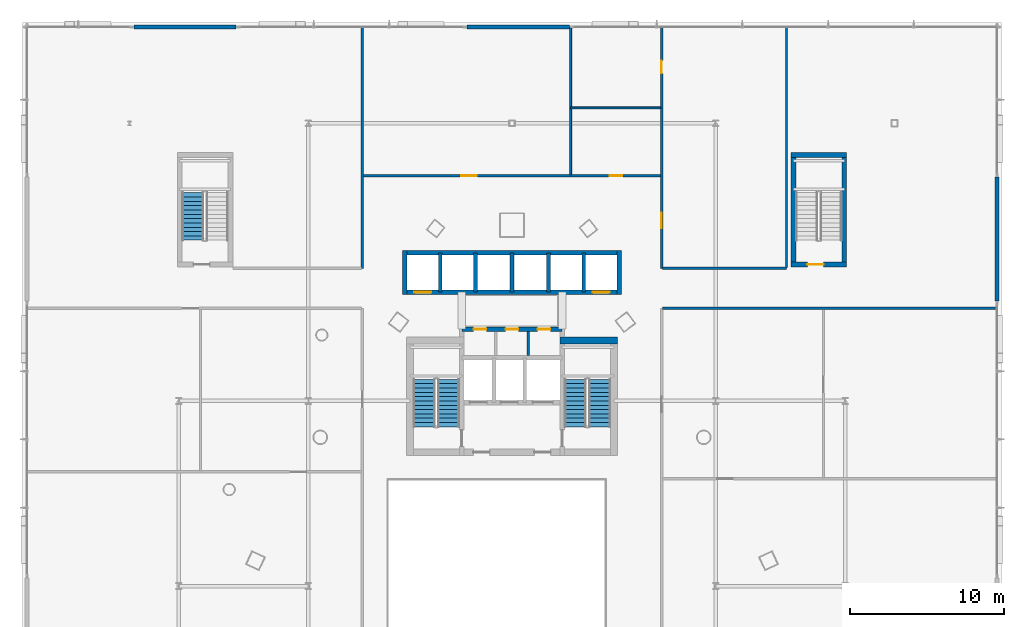
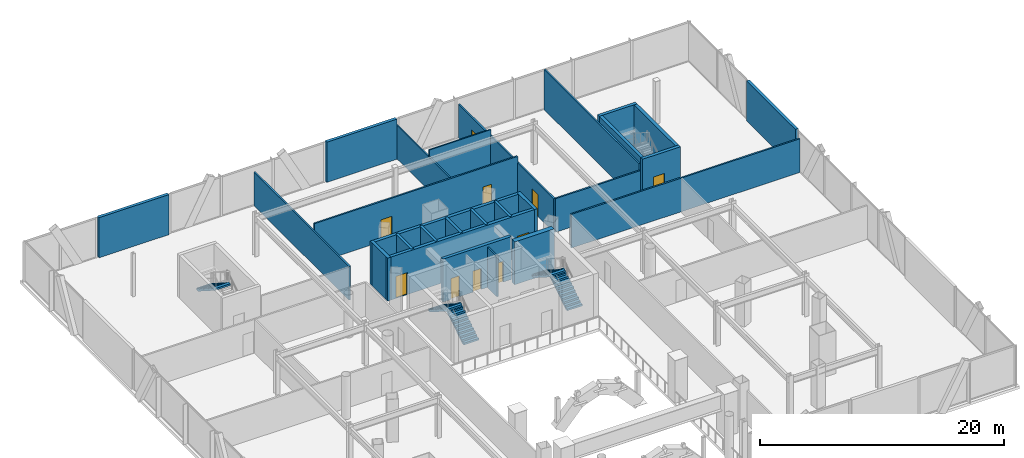
# One storey, part 34 of 42: 27 walls, 10 doors, 5 stair flights, 10 openings, 3 elements without a shape of their own.
"""IFC4 building model written with IfcOpenShell, lengths in metres."""

from ifc_helpers import new_model, si_unit, direction, frame, frame_2d, origin, place, context, subcontext, project, spatial, polyline, rectangle, outline, extrude, material, layer, layer_set, type_object, element, fill, aggregate, save


model = new_model("IFC4")

# Units and contexts
model_context = context("Model", 3, precision=1e-05, world=origin(), true_north=direction((0.0, 1.0)))
body_context = subcontext(model_context, "Body", "Model", "MODEL_VIEW")
ifc_project = project(units=[si_unit("LENGTHUNIT", "METRE"), si_unit("AREAUNIT", "SQUARE_METRE"), si_unit("VOLUMEUNIT", "CUBIC_METRE"), si_unit("PLANEANGLEUNIT", "RADIAN"), si_unit("MASSUNIT", "GRAM", prefix="KILO")], contexts=[model_context])

# Site, building, storey
site_placement = place(None, origin())
site = spatial("IfcSite", under=ifc_project, at=site_placement, CompositionType="ELEMENT")
building_placement = place(site_placement, origin())
building = spatial("IfcBuilding", under=site, at=building_placement, Name="Orvanel Arch Residences", CompositionType="ELEMENT")
storey_placement = place(building_placement, frame((0.0, 0.0, 9.800048828125)))
storey = spatial("IfcBuildingStorey", under=building, at=storey_placement, Name="L02", CompositionType="ELEMENT", Elevation=9.800048828125)

# Walls
ifc_material_1 = material(Name="Precast concrete N50 (50 MPa)", Category="concrete")
ifc_layer_1 = layer(ifc_material_1, 0.280029296875)
ifc_layer_set_1 = layer_set([ifc_layer_1], Name="Precast concrete N50 (50 MPa)")
wall_type_1 = type_object("IfcWallType", Name="EW-POD-280", PredefinedType="SOLIDWALL", material=ifc_layer_set_1)
wall_1_placement = place(storey_placement, frame((8.47998046875, 54.25, 0.0), z_axis=(0.0, 0.0, 1.0), x_axis=(1.0, 0.0, 0.0)))
element("IfcWall", 1, at=wall_1_placement, inside=storey, type_object=wall_type_1, Name="L02 Podium Solid North Panel Wall NP1", PredefinedType="SOLIDWALL", context=body_context, shape_type="SweptSolid", body=[
    extrude(rectangle(XDim=6.64013671875, YDim=0.280029296875, at=frame_2d((3.320068359375, 0.0))), origin(), (0.0, 0.0, 1.0), 4.02001953125),
])
wall_2_placement = place(storey_placement, frame((30.080078125, 54.25, 0.0), z_axis=(0.0, 0.0, 1.0), x_axis=(1.0, 0.0, 0.0)))
element("IfcWall", 2, at=wall_2_placement, inside=storey, type_object=wall_type_1, Name="L02 Podium Solid North Panel Wall NP2", PredefinedType="SOLIDWALL", context=body_context, shape_type="SweptSolid", body=[
    extrude(rectangle(XDim=6.639892578125, YDim=0.280029296875, at=frame_2d((3.31982421875, 0.0))), origin(), (0.0, 0.0, 1.0), 4.02001953125),
])
wall_3_placement = place(storey_placement, frame((64.449951171875, 36.47998046875, 0.0), z_axis=(0.0, 0.0, 1.0), x_axis=(0.0, 1.0, 0.0)))
element("IfcWall", 3, at=wall_3_placement, inside=storey, type_object=wall_type_1, Name="L02 Podium Solid E Panel Wall 2", PredefinedType="SOLIDWALL", context=body_context, shape_type="SweptSolid", body=[
    extrude(rectangle(XDim=8.0400390625, YDim=0.280029296875, at=frame_2d((4.02001953125, 0.0))), origin(), (0.0, 0.0, 1.0), 4.02001953125),
])
ifc_material_2 = material(Name="Concrete N50 (50 MPa)", Category="concrete")
ifc_layer_2 = layer(ifc_material_2, 0.25)
ifc_layer_set_2 = layer_set([ifc_layer_2], Name="Concrete N50 (50 MPa)")
wall_type_2 = type_object("IfcWallType", Name="SW-CORE-250", PredefinedType="SHEAR", material=ifc_layer_set_2)
for number, where, z_axis, x_axis, name in (
    (4, (28.35009765625, 37.050048828125, 0.0), (0.0, 0.0, 1.0), (0.0, 1.0, 0.0), "L02 Passenger Lift Inter-Shaft Wall P13"),
    (5, (30.625, 37.050048828125, 0.0), (0.0, 0.0, 1.0), (0.0, 1.0, 0.0), "L02 Passenger Lift Inter-Shaft Wall P35"),
    (6, (33.0, 37.050048828125, 0.0), (0.0, 0.0, 1.0), (0.0, 1.0, 0.0), "L02 Passenger Lift Inter-Shaft Wall P56"),
    (7, (35.375, 37.050048828125, 0.0), (0.0, 0.0, 1.0), (0.0, 1.0, 0.0), "L02 Passenger Lift Inter-Shaft Wall P64"),
    (8, (37.64990234375, 37.050048828125, 0.0), (0.0, 0.0, 1.0), (0.0, 1.0, 0.0), "L02 Passenger Lift Inter-Shaft Wall P42"),
):
    element("IfcWall", number, at=place(storey_placement, frame(where, z_axis=z_axis, x_axis=x_axis)), inside=storey, type_object=wall_type_2, Name=name, PredefinedType="SHEAR", context=body_context, shape_type="SweptSolid", body=[
        extrude(rectangle(XDim=2.550048828125, YDim=0.25, at=frame_2d((1.27490234375, 0.0))), origin(), (0.0, 0.0, 1.0), 4.300048828125),
    ])

# Wall, openings, doors
ifc_material_3 = material(Name="Concrete S80 (80 MPa)", Category="concrete")
ifc_layer_3 = layer(ifc_material_3, 0.300048828125)
ifc_layer_set_3 = layer_set([ifc_layer_3], Name="Concrete S80 (80 MPa)")
wall_type_3 = type_object("IfcWallType", Name="SW-CORE-300", PredefinedType="SHEAR", material=ifc_layer_set_3)
wall_4_placement = place(storey_placement, frame((29.75, 34.64990234375, 0.0), z_axis=(0.0, 0.0, 1.0), x_axis=(1.0, 0.0, 0.0)))
wall_4 = element("IfcWall", 9, at=wall_4_placement, inside=storey, type_object=wall_type_3, Name="L02 Core Service Band North Shear Wall", PredefinedType="SHEAR", context=body_context, shape_type="SweptSolid", body=[
    extrude(rectangle(XDim=6.5, YDim=0.300048828125, at=frame_2d((3.25, 0.0))), origin(), (0.0, 0.0, 1.0), 4.300048828125),
])
opening_1_placement = place(wall_4_placement, frame((0.764892578125, 0.0, 0.0)))
opening_1 = element("IfcOpeningElement", 10, at=opening_1_placement, cuts=wall_4, Name="Opening DS-082", PredefinedType="OPENING", context=body_context, shape_type="SweptSolid", body=[
    extrude(rectangle(XDim=0.820068359375, YDim=2.10009765625, at=frame_2d((0.41015625, 1.050048828125))), frame((0.0, 0.159912109375, 0.0), z_axis=(0.0, -1.0, 0.0), x_axis=(1.0, 0.0, 0.0)), (0.0, 0.0, 1.0), 0.320068359375),
])
opening_2_placement = place(wall_4_placement, frame((2.840087890625, 0.0, 0.0)))
opening_2 = element("IfcOpeningElement", 11, at=opening_2_placement, cuts=wall_4, Name="Opening DS-082", PredefinedType="OPENING", context=body_context, shape_type="SweptSolid", body=[
    extrude(rectangle(XDim=0.820068359375, YDim=2.10009765625, at=frame_2d((0.41015625, 1.050048828125))), frame((0.0, 0.159912109375, 0.0), z_axis=(0.0, -1.0, 0.0), x_axis=(1.0, 0.0, 0.0)), (0.0, 0.0, 1.0), 0.320068359375),
])
opening_3_placement = place(wall_4_placement, frame((4.9150390625, 0.0, 0.0)))
opening_3 = element("IfcOpeningElement", 12, at=opening_3_placement, cuts=wall_4, Name="Opening DS-082", PredefinedType="OPENING", context=body_context, shape_type="SweptSolid", body=[
    extrude(rectangle(XDim=0.820068359375, YDim=2.10009765625, at=frame_2d((0.41015625, 1.050048828125))), frame((0.0, 0.159912109375, 0.0), z_axis=(0.0, -1.0, 0.0), x_axis=(1.0, 0.0, 0.0)), (0.0, 0.0, 1.0), 0.320068359375),
])
ifc_material_4 = material(Name="Galvanised steel fire-resisting door assembly", Category="steel")
door_type_1 = type_object("IfcDoorType", Name="DR-SVC-820", OperationType="NOTDEFINED", PredefinedType="DOOR", material=ifc_material_4)
door_1_placement = place(opening_1_placement, origin())
door_1 = element("IfcDoor", 13, at=door_1_placement, inside=storey, type_object=door_type_1, Name="DR-L02-CSVC-1 L02 Housekeeping Store Door", OperationType="SINGLE_SWING_LEFT", OverallHeight=2.10009765625, OverallWidth=0.820068359375, PredefinedType="DOOR", context=body_context, shape_type="SweptSolid", body=[
    extrude(rectangle(XDim=0.820068359375, YDim=2.10009765625, at=frame_2d((0.41015625, 1.050048828125))), frame((0.0, 0.02490234375, 0.0), z_axis=(0.0, -1.0, 0.0), x_axis=(1.0, 0.0, 0.0)), (0.0, 0.0, 1.0), 0.050048828125),
])
fill(opening_1, door_1)
door_2_placement = place(opening_2_placement, origin())
door_2 = element("IfcDoor", 14, at=door_2_placement, inside=storey, type_object=door_type_1, Name="DR-L02-CSVC-2 L02 Cleaner's Store Door", OperationType="SINGLE_SWING_LEFT", OverallHeight=2.10009765625, OverallWidth=0.820068359375, PredefinedType="DOOR", context=body_context, shape_type="SweptSolid", body=[
    extrude(rectangle(XDim=0.820068359375, YDim=2.10009765625, at=frame_2d((0.41015625, 1.050048828125))), frame((0.0, 0.02490234375, 0.0), z_axis=(0.0, -1.0, 0.0), x_axis=(1.0, 0.0, 0.0)), (0.0, 0.0, 1.0), 0.050048828125),
])
fill(opening_2, door_2)
door_3_placement = place(opening_3_placement, origin())
door_3 = element("IfcDoor", 15, at=door_3_placement, inside=storey, type_object=door_type_1, Name="DR-L02-CSVC-3 L02 Comms Riser Store Door", OperationType="SINGLE_SWING_LEFT", OverallHeight=2.10009765625, OverallWidth=0.820068359375, PredefinedType="DOOR", context=body_context, shape_type="SweptSolid", body=[
    extrude(rectangle(XDim=0.820068359375, YDim=2.10009765625, at=frame_2d((0.41015625, 1.050048828125))), frame((0.0, 0.02490234375, 0.0), z_axis=(0.0, -1.0, 0.0), x_axis=(1.0, 0.0, 0.0)), (0.0, 0.0, 1.0), 0.050048828125),
])
fill(opening_3, door_3)

wall_5_placement = place(storey_placement, frame((40.10009765625, 37.050048828125, 0.0), z_axis=(0.0, 0.0, 1.0), x_axis=(-1.0, 0.0, 0.0)))
wall_5 = element("IfcWall", 16, at=wall_5_placement, inside=storey, type_object=wall_type_3, Name="L02 Passenger Lift Bank Front Shear Wall", PredefinedType="SHEAR", context=body_context, shape_type="SweptSolid", body=[
    extrude(rectangle(XDim=14.2001953125, YDim=0.300048828125, at=frame_2d((7.10009765625, 0.0))), origin(), (0.0, 0.0, 1.0), 4.300048828125),
])
opening_4_placement = place(wall_5_placement, frame((12.324951171875, 0.0, 0.0)))
opening_4 = element("IfcOpeningElement", 17, at=opening_4_placement, cuts=wall_5, Name="Opening LD-110", PredefinedType="OPENING", context=body_context, shape_type="SweptSolid", body=[
    extrude(rectangle(XDim=1.10009765625, YDim=2.199951171875, at=frame_2d((0.550048828125, 1.10009765625))), frame((0.0, 0.159912109375, 0.0), z_axis=(0.0, -1.0, 0.0), x_axis=(1.0, 0.0, 0.0)), (0.0, 0.0, 1.0), 0.320068359375),
])
opening_5_placement = place(wall_5_placement, frame((0.77490234375, 0.0, 0.0)))
opening_5 = element("IfcOpeningElement", 18, at=opening_5_placement, cuts=wall_5, Name="Opening LD-110", PredefinedType="OPENING", context=body_context, shape_type="SweptSolid", body=[
    extrude(rectangle(XDim=1.10009765625, YDim=2.199951171875, at=frame_2d((0.550048828125, 1.10009765625))), frame((0.0, 0.159912109375, 0.0), z_axis=(0.0, -1.0, 0.0), x_axis=(1.0, 0.0, 0.0)), (0.0, 0.0, 1.0), 0.320068359375),
])
door_type_2 = type_object("IfcDoorType", Name="DR-LFT-1100", OperationType="NOTDEFINED", PredefinedType="DOOR", material=ifc_material_4)
door_4_placement = place(opening_4_placement, origin())
door_4 = element("IfcDoor", 19, at=door_4_placement, inside=storey, type_object=door_type_2, Name="LD-P1-L02 L02 Passenger Lift P1 Sliding Landing Door", OperationType="DOUBLE_DOOR_SLIDING", OverallHeight=2.199951171875, OverallWidth=1.10009765625, PredefinedType="DOOR", context=body_context, shape_type="SweptSolid", body=[
    extrude(rectangle(XDim=1.10009765625, YDim=2.199951171875, at=frame_2d((0.550048828125, 1.10009765625))), frame((0.0, 0.02490234375, 0.0), z_axis=(0.0, -1.0, 0.0), x_axis=(1.0, 0.0, 0.0)), (0.0, 0.0, 1.0), 0.050048828125),
])
fill(opening_4, door_4)
door_5_placement = place(opening_5_placement, origin())
door_5 = element("IfcDoor", 20, at=door_5_placement, inside=storey, type_object=door_type_2, Name="LD-P2-L02 L02 Passenger Lift P2 Sliding Landing Door", OperationType="DOUBLE_DOOR_SLIDING", OverallHeight=2.199951171875, OverallWidth=1.10009765625, PredefinedType="DOOR", context=body_context, shape_type="SweptSolid", body=[
    extrude(rectangle(XDim=1.10009765625, YDim=2.199951171875, at=frame_2d((0.550048828125, 1.10009765625))), frame((0.0, 0.02490234375, 0.0), z_axis=(0.0, -1.0, 0.0), x_axis=(1.0, 0.0, 0.0)), (0.0, 0.0, 1.0), 0.050048828125),
])
fill(opening_5, door_5)

# Walls
wall_6_placement = place(storey_placement, frame((25.89990234375, 39.60009765625, 0.0), z_axis=(0.0, 0.0, 1.0), x_axis=(1.0, 0.0, 0.0)))
element("IfcWall", 21, at=wall_6_placement, inside=storey, type_object=wall_type_3, Name="L02 Passenger Lift Bank North Shear Wall", PredefinedType="SHEAR", context=body_context, shape_type="SweptSolid", body=[
    extrude(rectangle(XDim=14.2001953125, YDim=0.300048828125, at=frame_2d((7.10009765625, 0.0))), origin(), (0.0, 0.0, 1.0), 4.300048828125),
])
for number, where, z_axis, x_axis, name in (
    (22, (26.050048828125, 36.89990234375, 0.0), (0.0, 0.0, 1.0), (0.0, 1.0, 0.0), "L02 Passenger Lift Bank West Shear Wall"),
    (23, (39.949951171875, 36.89990234375, 0.0), (0.0, 0.0, 1.0), (0.0, 1.0, 0.0), "L02 Passenger Lift Bank East Shear Wall"),
):
    element("IfcWall", number, at=place(storey_placement, frame(where, z_axis=z_axis, x_axis=x_axis)), inside=storey, type_object=wall_type_3, Name=name, PredefinedType="SHEAR", context=body_context, shape_type="SweptSolid", body=[
        extrude(rectangle(XDim=2.85009765625, YDim=0.300048828125, at=frame_2d((1.425048828125, 0.0))), origin(), (0.0, 0.0, 1.0), 4.300048828125),
    ])
for number, where, z_axis, x_axis, name in (
    (24, (51.25, 38.699951171875, 0.0), (0.0, 0.0, 1.0), (0.0, 1.0, 0.0), "L02 ST4 West Shear Wall"),
    (25, (54.550048828125, 38.699951171875, 0.0), (0.0, 0.0, 1.0), (0.0, 1.0, 0.0), "L02 ST4 East Shear Wall"),
):
    element("IfcWall", number, at=place(storey_placement, frame(where, z_axis=z_axis, x_axis=x_axis)), inside=storey, type_object=wall_type_3, Name=name, PredefinedType="SHEAR", context=body_context, shape_type="SweptSolid", body=[
        extrude(rectangle(XDim=7.400146484375, YDim=0.300048828125, at=frame_2d((3.7001953125, 0.0))), origin(), (0.0, 0.0, 1.0), 4.300048828125),
    ])
wall_7_placement = place(storey_placement, frame((51.10009765625, 45.949951171875, 0.0), z_axis=(0.0, 0.0, 1.0), x_axis=(1.0, 0.0, 0.0)))
element("IfcWall", 26, at=wall_7_placement, inside=storey, type_object=wall_type_3, Name="L02 ST4 North Shear Wall", PredefinedType="SHEAR", context=body_context, shape_type="SweptSolid", body=[
    extrude(rectangle(XDim=3.599853515625, YDim=0.300048828125, at=frame_2d((1.7998046875, 0.0))), origin(), (0.0, 0.0, 1.0), 4.300048828125),
])

# Wall, opening, door
wall_8_placement = place(storey_placement, frame((51.10009765625, 38.85009765625, 0.0), z_axis=(0.0, 0.0, 1.0), x_axis=(1.0, 0.0, 0.0)))
wall_8 = element("IfcWall", 27, at=wall_8_placement, inside=storey, type_object=wall_type_3, Name="L02 ST4 South Shear Wall", PredefinedType="SHEAR", context=body_context, shape_type="SweptSolid", body=[
    extrude(rectangle(XDim=3.599853515625, YDim=0.300048828125, at=frame_2d((1.7998046875, 0.0))), origin(), (0.0, 0.0, 1.0), 4.300048828125),
])
opening_6_placement = place(wall_8_placement, frame((1.050048828125, 0.0, 0.0)))
opening_6 = element("IfcOpeningElement", 28, at=opening_6_placement, cuts=wall_8, Name="Opening DF-120", PredefinedType="OPENING", context=body_context, shape_type="SweptSolid", body=[
    extrude(rectangle(XDim=1.050048828125, YDim=2.14990234375, at=frame_2d((0.52490234375, 1.074951171875))), frame((0.0, 0.159912109375, 0.0), z_axis=(0.0, -1.0, 0.0), x_axis=(1.0, 0.0, 0.0)), (0.0, 0.0, 1.0), 0.320068359375),
])
door_type_3 = type_object("IfcDoorType", Name="DR-FD120-1050", OperationType="NOTDEFINED", PredefinedType="DOOR", material=ifc_material_4)
door_6_placement = place(opening_6_placement, origin())
door_6 = element("IfcDoor", 29, at=door_6_placement, inside=storey, type_object=door_type_3, Name="DR-L02-ST4 L02 ST4 Exit Door", OperationType="SINGLE_SWING_LEFT", OverallHeight=2.14990234375, OverallWidth=1.050048828125, PredefinedType="DOOR", context=body_context, shape_type="SweptSolid", body=[
    extrude(rectangle(XDim=1.050048828125, YDim=2.14990234375, at=frame_2d((0.52490234375, 1.074951171875))), frame((0.0, 0.02490234375, 0.0), z_axis=(0.0, -1.0, 0.0), x_axis=(1.0, 0.0, 0.0)), (0.0, 0.0, 1.0), 0.050048828125),
])
fill(opening_6, door_6)

# Walls
ifc_layer_4 = layer(ifc_material_3, 0.449951171875)
ifc_layer_set_4 = layer_set([ifc_layer_4], Name="Concrete S80 (80 MPa)")
wall_type_4 = type_object("IfcWallType", Name="SW-CORE-450", PredefinedType="SHEAR", material=ifc_layer_set_4)
wall_9_placement = place(storey_placement, frame((36.10009765625, 33.925048828125, 0.0), z_axis=(0.0, 0.0, 1.0), x_axis=(1.0, 0.0, 0.0)))
element("IfcWall", 30, at=wall_9_placement, inside=storey, type_object=wall_type_4, Name="L02 East Stair North Shear Wall", PredefinedType="SHEAR", context=body_context, shape_type="SweptSolid", body=[
    extrude(rectangle(XDim=3.75, YDim=0.449951171875, at=frame_2d((1.875, 0.0))), origin(), (0.0, 0.0, 1.0), 4.300048828125),
])
ifc_material_5 = material(Name="Acoustic plasterboard lined twin-stud partition", Category="gypsum")
ifc_layer_5 = layer(ifc_material_5, 0.14990234375)
ifc_layer_set_5 = layer_set([ifc_layer_5], Name="Acoustic plasterboard lined twin-stud partition")
wall_type_5 = type_object("IfcWallType", Name="W-POD-150", PredefinedType="PARTITIONING", material=ifc_layer_set_5)
wall_10_placement = place(storey_placement, frame((42.760009765625, 36.0, 0.0), z_axis=(0.0, 0.0, 1.0), x_axis=(1.0, 0.0, 0.0)))
element("IfcWall", 31, at=wall_10_placement, inside=storey, type_object=wall_type_5, Name="L02 East Wing North Wall", PredefinedType="PARTITIONING", context=body_context, shape_type="SweptSolid", body=[
    extrude(rectangle(XDim=21.675048828125, YDim=0.14990234375, at=frame_2d((10.83740234375, 0.0))), origin(), (0.0, 0.0, 1.0), 3.373046875),
])
wall_11_placement = place(storey_placement, frame((23.300048828125, 38.60009765625, 0.0), z_axis=(0.0, 0.0, 1.0), x_axis=(0.0, 1.0, 0.0)))
element("IfcWall", 32, at=wall_11_placement, inside=storey, type_object=wall_type_5, Name="L02 W Outer Corridor Wall", PredefinedType="PARTITIONING", context=body_context, shape_type="SweptSolid", body=[
    extrude(rectangle(XDim=15.635009765625, YDim=0.14990234375, at=frame_2d((7.8173828125, 0.0))), origin(), (0.0, 0.0, 1.0), 3.373046875),
])

# Wall, openings, doors
wall_12_placement = place(storey_placement, frame((42.699951171875, 38.60009765625, 0.0), z_axis=(0.0, 0.0, 1.0), x_axis=(0.0, 1.0, 0.0)))
wall_12 = element("IfcWall", 33, at=wall_12_placement, inside=storey, type_object=wall_type_5, Name="L02 E Outer Corridor Wall", PredefinedType="PARTITIONING", context=body_context, shape_type="SweptSolid", body=[
    extrude(rectangle(XDim=15.635009765625, YDim=0.14990234375, at=frame_2d((7.8173828125, 0.0))), origin(), (0.0, 0.0, 1.0), 3.373046875),
])
opening_7_placement = place(wall_12_placement, frame((12.639892578125, 0.0, 0.0)))
opening_7 = element("IfcOpeningElement", 34, at=opening_7_placement, cuts=wall_12, Name="Opening DS-082", PredefinedType="OPENING", context=body_context, shape_type="SweptSolid", body=[
    extrude(rectangle(XDim=0.820068359375, YDim=2.10009765625, at=frame_2d((0.41015625, 1.050048828125))), frame((0.0, 0.0849609375, 0.0), z_axis=(0.0, -1.0, 0.0), x_axis=(1.0, 0.0, 0.0)), (0.0, 0.0, 1.0), 0.169921875),
])
opening_8_placement = place(wall_12_placement, frame((2.60009765625, 0.0, 0.0)))
opening_8 = element("IfcOpeningElement", 35, at=opening_8_placement, cuts=wall_12, Name="Opening DP-100", PredefinedType="OPENING", context=body_context, shape_type="SweptSolid", body=[
    extrude(rectangle(XDim=1.0, YDim=2.199951171875, at=frame_2d((0.5, 1.10009765625))), frame((0.0, 0.0849609375, 0.0), z_axis=(0.0, -1.0, 0.0), x_axis=(1.0, 0.0, 0.0)), (0.0, 0.0, 1.0), 0.169921875),
])
ifc_material_6 = material(Name="Solid-core European oak veneer fire door leaf", Category="wood")
door_type_4 = type_object("IfcDoorType", Name="DR-POD-1000", OperationType="NOTDEFINED", PredefinedType="DOOR", material=ifc_material_6)
door_7_placement = place(opening_8_placement, origin())
door_7 = element("IfcDoor", 36, at=door_7_placement, inside=storey, type_object=door_type_4, Name="DR-L02-NE L02 Clinical Pharmacy Store Door", OperationType="SINGLE_SWING_LEFT", OverallHeight=2.199951171875, OverallWidth=1.0, PredefinedType="DOOR", context=body_context, shape_type="SweptSolid", body=[
    extrude(rectangle(XDim=1.0, YDim=2.199951171875, at=frame_2d((0.5, 1.10009765625))), frame((0.0, 0.02490234375, 0.0), z_axis=(0.0, -1.0, 0.0), x_axis=(1.0, 0.0, 0.0)), (0.0, 0.0, 1.0), 0.050048828125),
])
fill(opening_8, door_7)
door_8_placement = place(opening_7_placement, origin())
door_8 = element("IfcDoor", 37, at=door_8_placement, inside=storey, type_object=door_type_1, Name="DR-L02-JAN L02 Cleaners Door", OperationType="SINGLE_SWING_LEFT", OverallHeight=2.10009765625, OverallWidth=0.820068359375, PredefinedType="DOOR", context=body_context, shape_type="SweptSolid", body=[
    extrude(rectangle(XDim=0.820068359375, YDim=2.10009765625, at=frame_2d((0.41015625, 1.050048828125))), frame((0.0, 0.02490234375, 0.0), z_axis=(0.0, -1.0, 0.0), x_axis=(1.0, 0.0, 0.0)), (0.0, 0.0, 1.0), 0.050048828125),
])
fill(opening_7, door_8)

# Walls
wall_13_placement = place(storey_placement, frame((42.760009765625, 38.60009765625, 0.0), z_axis=(0.0, 0.0, 1.0), x_axis=(1.0, 0.0, 0.0)))
element("IfcWall", 38, at=wall_13_placement, inside=storey, type_object=wall_type_5, Name="L02 NE Suite South Wall", PredefinedType="PARTITIONING", context=body_context, shape_type="SweptSolid", body=[
    extrude(rectangle(XDim=8.0400390625, YDim=0.14990234375, at=frame_2d((4.02001953125, 0.0))), origin(), (0.0, 0.0, 1.0), 3.373046875),
])
wall_14_placement = place(storey_placement, frame((50.800048828125, 38.659912109375, 0.0), z_axis=(0.0, 0.0, 1.0), x_axis=(0.0, 1.0, 0.0)))
element("IfcWall", 39, at=wall_14_placement, inside=storey, type_object=wall_type_5, Name="L02 NE Suite East Wall", PredefinedType="PARTITIONING", context=body_context, shape_type="SweptSolid", body=[
    extrude(rectangle(XDim=15.5751953125, YDim=0.14990234375, at=frame_2d((7.78759765625, 0.0))), origin(), (0.0, 0.0, 1.0), 4.02001953125),
])

# Wall, openings, doors
wall_15_placement = place(storey_placement, frame((23.360107421875, 44.60009765625, 0.0), z_axis=(0.0, 0.0, 1.0), x_axis=(1.0, 0.0, 0.0)))
wall_15 = element("IfcWall", 40, at=wall_15_placement, inside=storey, type_object=wall_type_5, Name="L02 N Corridor Wall", PredefinedType="PARTITIONING", context=body_context, shape_type="SweptSolid", body=[
    extrude(rectangle(XDim=19.27978515625, YDim=0.14990234375, at=frame_2d((9.639892578125, 0.0))), origin(), (0.0, 0.0, 1.0), 4.02001953125),
])
opening_9_placement = place(wall_15_placement, frame((6.340087890625, 0.0, 0.0)))
opening_9 = element("IfcOpeningElement", 41, at=opening_9_placement, cuts=wall_15, Name="Opening DP-100", PredefinedType="OPENING", context=body_context, shape_type="SweptSolid", body=[
    extrude(rectangle(XDim=1.0, YDim=2.199951171875, at=frame_2d((0.5, 1.10009765625))), frame((0.0, 0.0849609375, 0.0), z_axis=(0.0, -1.0, 0.0), x_axis=(1.0, 0.0, 0.0)), (0.0, 0.0, 1.0), 0.169921875),
])
opening_10_placement = place(wall_15_placement, frame((15.97998046875, 0.0, 0.0)))
opening_10 = element("IfcOpeningElement", 42, at=opening_10_placement, cuts=wall_15, Name="Opening DW-082", PredefinedType="OPENING", context=body_context, shape_type="SweptSolid", body=[
    extrude(rectangle(XDim=0.820068359375, YDim=2.10009765625, at=frame_2d((0.41015625, 1.050048828125))), frame((0.0, 0.0849609375, 0.0), z_axis=(0.0, -1.0, 0.0), x_axis=(1.0, 0.0, 0.0)), (0.0, 0.0, 1.0), 0.169921875),
])
door_9_placement = place(opening_9_placement, origin())
door_9 = element("IfcDoor", 43, at=door_9_placement, inside=storey, type_object=door_type_4, Name="DR-L02-N L02 Ultrasound Diagnostic Clinic Door", OperationType="SINGLE_SWING_LEFT", OverallHeight=2.199951171875, OverallWidth=1.0, PredefinedType="DOOR", context=body_context, shape_type="SweptSolid", body=[
    extrude(rectangle(XDim=1.0, YDim=2.199951171875, at=frame_2d((0.5, 1.10009765625))), frame((0.0, 0.02490234375, 0.0), z_axis=(0.0, -1.0, 0.0), x_axis=(1.0, 0.0, 0.0)), (0.0, 0.0, 1.0), 0.050048828125),
])
fill(opening_9, door_9)
door_type_5 = type_object("IfcDoorType", Name="DR-WET-820", OperationType="NOTDEFINED", PredefinedType="DOOR", material=ifc_material_6)
door_10_placement = place(opening_10_placement, origin())
door_10 = element("IfcDoor", 44, at=door_10_placement, inside=storey, type_object=door_type_5, Name="DR-L02-WC L02 Accessible WC Door", OperationType="SINGLE_SWING_RIGHT", OverallHeight=2.10009765625, OverallWidth=0.820068359375, PredefinedType="DOOR", context=body_context, shape_type="SweptSolid", body=[
    extrude(rectangle(XDim=0.820068359375, YDim=2.10009765625, at=frame_2d((0.41015625, 1.050048828125))), frame((0.0, 0.02490234375, 0.0), z_axis=(0.0, -1.0, 0.0), x_axis=(1.0, 0.0, 0.0)), (0.0, 0.0, 1.0), 0.050048828125),
])
fill(opening_10, door_10)

# Walls
ifc_material_7 = material(Name="Fire-rated plasterboard lined steel stud partition", Category="steel")
ifc_layer_6 = layer(ifc_material_7, 0.14990234375)
ifc_layer_set_6 = layer_set([ifc_layer_6], Name="Fire-rated plasterboard lined steel stud partition")
wall_type_6 = type_object("IfcWallType", Name="W-ST-150", PredefinedType="PARTITIONING", material=ifc_layer_set_6)
wall_16_placement = place(storey_placement, frame((34.050048828125, 32.93505859375, 0.0), z_axis=(0.0, 0.0, 1.0), x_axis=(0.0, 1.0, 0.0)))
element("IfcWall", 45, at=wall_16_placement, inside=storey, type_object=wall_type_6, Name="L02 Core Service Partition 2", PredefinedType="PARTITIONING", context=body_context, shape_type="SweptSolid", body=[
    extrude(rectangle(XDim=1.579833984375, YDim=0.14990234375, at=frame_2d((0.7900390625, 0.0))), origin(), (0.0, 0.0, 1.0), 4.02001953125),
])
ifc_layer_7 = layer(ifc_material_5, 0.1201171875)
ifc_layer_set_7 = layer_set([ifc_layer_7], Name="Acoustic plasterboard lined twin-stud partition")
wall_type_7 = type_object("IfcWallType", Name="W-WET-120", PredefinedType="PARTITIONING", material=ifc_layer_set_7)
wall_17_placement = place(storey_placement, frame((36.800048828125, 44.659912109375, 0.0), z_axis=(0.0, 0.0, 1.0), x_axis=(0.0, 1.0, 0.0)))
element("IfcWall", 46, at=wall_17_placement, inside=storey, type_object=wall_type_7, Name="L02 WC West Wall", PredefinedType="PARTITIONING", context=body_context, shape_type="SweptSolid", body=[
    extrude(rectangle(XDim=9.5751953125, YDim=0.1201171875, at=frame_2d((4.78759765625, 0.0))), origin(), (0.0, 0.0, 1.0), 3.373046875),
])
wall_18_placement = place(storey_placement, frame((36.800048828125, 49.0, 0.0), z_axis=(0.0, 0.0, 1.0), x_axis=(1.0, 0.0, 0.0)))
element("IfcWall", 47, at=wall_18_placement, inside=storey, type_object=wall_type_7, Name="L02 WC North Wall", PredefinedType="PARTITIONING", context=body_context, shape_type="SweptSolid", body=[
    extrude(rectangle(XDim=5.83984375, YDim=0.1201171875, at=frame_2d((2.919921875, 0.0))), origin(), (0.0, 0.0, 1.0), 4.02001953125),
])

# Stair, stair flights
stair_type = type_object("IfcStairType", Name="STR-DOG-178", PredefinedType="USERDEFINED", material=ifc_material_1)
stair_1_placement = place(storey_placement, origin())
stair_1 = element("IfcStair", 48, at=stair_1_placement, inside=storey, type_object=stair_type, Name="L02 Fire-Isolated Core Exit Stair 1", ObjectType="TWO_RETURN_STAIR", PredefinedType="USERDEFINED")
stair_flight_type_1 = type_object("IfcStairFlightType", Name="SFL-C1-178", PredefinedType="STRAIGHT", material=ifc_material_1)
stair_flight_1_placement = place(storey_placement, frame((28.889892578125, 28.320068359375, 0.0), z_axis=(0.0, 0.0, 1.0), x_axis=(0.0, 1.0, 0.0)))
stair_flight_1 = element("IfcStairFlight", 49, at=stair_flight_1_placement, type_object=stair_flight_type_1, Name="ST-1 flight 1", NumberOfRisers=12, NumberOfTreads=11, PredefinedType="STRAIGHT", RiserHeight=0.179166667, TreadLength=0.28, context=body_context, shape_type="SweptSolid", body=[
    extrude(outline(polyline([(0.0, 0.0), (0.0, 0.17919921875), (0.280029296875, 0.17919921875), (0.280029296875, 0.3583984375), (0.56005859375, 0.3583984375), (0.56005859375, 0.53759765625), (0.840087890625, 0.53759765625), (0.840087890625, 0.716552734375), (1.1201171875, 0.716552734375), (1.1201171875, 0.895751953125), (1.39990234375, 0.895751953125), (1.39990234375, 1.074951171875), (1.679931640625, 1.074951171875), (1.679931640625, 1.254150390625), (1.9599609375, 1.254150390625), (1.9599609375, 1.433349609375), (2.239990234375, 1.433349609375), (2.239990234375, 1.612548828125), (2.52001953125, 1.612548828125), (2.52001953125, 1.791748046875), (2.800048828125, 1.791748046875), (2.800048828125, 1.970947265625), (3.080078125, 1.970947265625), (3.080078125, 2.14990234375), (3.080078125, 1.79296875), (0.278076171875, 0.0), (0.0, 0.0)])), frame((0.0, 0.7099609375, 0.0), z_axis=(0.0, -1.0, 0.0), x_axis=(1.0, 0.0, 0.0)), (0.0, 0.0, 1.0), 1.419921875),
])
stair_flight_2_placement = place(storey_placement, frame((27.31005859375, 31.39990234375, 2.14990234375), z_axis=(0.0, 0.0, 1.0), x_axis=(0.0, -1.0, 0.0)))
stair_flight_2 = element("IfcStairFlight", 50, at=stair_flight_2_placement, type_object=stair_flight_type_1, Name="ST-1 flight 2", NumberOfRisers=12, NumberOfTreads=11, PredefinedType="STRAIGHT", RiserHeight=0.179166667, TreadLength=0.28, context=body_context, shape_type="SweptSolid", body=[
    extrude(outline(polyline([(0.0, 0.0), (0.0, 0.17919921875), (0.280029296875, 0.17919921875), (0.280029296875, 0.3583984375), (0.56005859375, 0.3583984375), (0.56005859375, 0.53759765625), (0.840087890625, 0.53759765625), (0.840087890625, 0.716552734375), (1.1201171875, 0.716552734375), (1.1201171875, 0.895751953125), (1.39990234375, 0.895751953125), (1.39990234375, 1.074951171875), (1.679931640625, 1.074951171875), (1.679931640625, 1.254150390625), (1.9599609375, 1.254150390625), (1.9599609375, 1.433349609375), (2.239990234375, 1.433349609375), (2.239990234375, 1.612548828125), (2.52001953125, 1.612548828125), (2.52001953125, 1.791748046875), (2.800048828125, 1.791748046875), (2.800048828125, 1.970947265625), (3.080078125, 1.970947265625), (3.080078125, 2.14990234375), (3.080078125, 1.79296875), (0.278076171875, 0.0), (0.0, 0.0)])), frame((0.0, 0.7099609375, 0.0), z_axis=(0.0, -1.0, 0.0), x_axis=(1.0, 0.0, 0.0)), (0.0, 0.0, 1.0), 1.419921875),
])
aggregate(stair_1, [stair_flight_1, stair_flight_2])

stair_2_placement = place(storey_placement, origin())
stair_2 = element("IfcStair", 51, at=stair_2_placement, inside=storey, type_object=stair_type, Name="L02 Fire-Isolated Core Exit Stair 2", ObjectType="TWO_RETURN_STAIR", PredefinedType="USERDEFINED")
stair_flight_type_2 = type_object("IfcStairFlightType", Name="SFL-C2-178", PredefinedType="STRAIGHT", material=ifc_material_1)
stair_flight_3_placement = place(storey_placement, frame((38.68994140625, 28.320068359375, 0.0), z_axis=(0.0, 0.0, 1.0), x_axis=(0.0, 1.0, 0.0)))
stair_flight_3 = element("IfcStairFlight", 52, at=stair_flight_3_placement, type_object=stair_flight_type_2, Name="ST-2 flight 1", NumberOfRisers=12, NumberOfTreads=11, PredefinedType="STRAIGHT", RiserHeight=0.179166667, TreadLength=0.28, context=body_context, shape_type="SweptSolid", body=[
    extrude(outline(polyline([(0.0, 0.0), (0.0, 0.17919921875), (0.280029296875, 0.17919921875), (0.280029296875, 0.3583984375), (0.56005859375, 0.3583984375), (0.56005859375, 0.53759765625), (0.840087890625, 0.53759765625), (0.840087890625, 0.716552734375), (1.1201171875, 0.716552734375), (1.1201171875, 0.895751953125), (1.39990234375, 0.895751953125), (1.39990234375, 1.074951171875), (1.679931640625, 1.074951171875), (1.679931640625, 1.254150390625), (1.9599609375, 1.254150390625), (1.9599609375, 1.433349609375), (2.239990234375, 1.433349609375), (2.239990234375, 1.612548828125), (2.52001953125, 1.612548828125), (2.52001953125, 1.791748046875), (2.800048828125, 1.791748046875), (2.800048828125, 1.970947265625), (3.080078125, 1.970947265625), (3.080078125, 2.14990234375), (3.080078125, 1.79296875), (0.278076171875, 0.0), (0.0, 0.0)])), frame((0.0, 0.7099609375, 0.0), z_axis=(0.0, -1.0, 0.0), x_axis=(1.0, 0.0, 0.0)), (0.0, 0.0, 1.0), 1.419921875),
])
stair_flight_4_placement = place(storey_placement, frame((37.110107421875, 31.39990234375, 2.14990234375), z_axis=(0.0, 0.0, 1.0), x_axis=(0.0, -1.0, 0.0)))
stair_flight_4 = element("IfcStairFlight", 53, at=stair_flight_4_placement, type_object=stair_flight_type_2, Name="ST-2 flight 2", NumberOfRisers=12, NumberOfTreads=11, PredefinedType="STRAIGHT", RiserHeight=0.179166667, TreadLength=0.28, context=body_context, shape_type="SweptSolid", body=[
    extrude(outline(polyline([(0.0, 0.0), (0.0, 0.17919921875), (0.280029296875, 0.17919921875), (0.280029296875, 0.3583984375), (0.56005859375, 0.3583984375), (0.56005859375, 0.53759765625), (0.840087890625, 0.53759765625), (0.840087890625, 0.716552734375), (1.1201171875, 0.716552734375), (1.1201171875, 0.895751953125), (1.39990234375, 0.895751953125), (1.39990234375, 1.074951171875), (1.679931640625, 1.074951171875), (1.679931640625, 1.254150390625), (1.9599609375, 1.254150390625), (1.9599609375, 1.433349609375), (2.239990234375, 1.433349609375), (2.239990234375, 1.612548828125), (2.52001953125, 1.612548828125), (2.52001953125, 1.791748046875), (2.800048828125, 1.791748046875), (2.800048828125, 1.970947265625), (3.080078125, 1.970947265625), (3.080078125, 2.14990234375), (3.080078125, 1.79296875), (0.278076171875, 0.0), (0.0, 0.0)])), frame((0.0, 0.7099609375, 0.0), z_axis=(0.0, -1.0, 0.0), x_axis=(1.0, 0.0, 0.0)), (0.0, 0.0, 1.0), 1.419921875),
])
aggregate(stair_2, [stair_flight_3, stair_flight_4])

# Stair, stair flight
stair_3_placement = place(storey_placement, origin())
stair_3 = element("IfcStair", 54, at=stair_3_placement, inside=storey, type_object=stair_type, Name="L02 West Podium Fire-Isolated Exit Stair 3", ObjectType="TWO_RETURN_STAIR", PredefinedType="USERDEFINED")
stair_flight_type_3 = type_object("IfcStairFlightType", Name="SFL-C3-178", PredefinedType="STRAIGHT", material=ifc_material_1)
stair_flight_5_placement = place(storey_placement, frame((12.31005859375, 43.5, 2.14990234375), z_axis=(0.0, 0.0, 1.0), x_axis=(0.0, -1.0, 0.0)))
stair_flight_5 = element("IfcStairFlight", 55, at=stair_flight_5_placement, type_object=stair_flight_type_3, Name="ST-3 flight 2", NumberOfRisers=12, NumberOfTreads=11, PredefinedType="STRAIGHT", RiserHeight=0.179166667, TreadLength=0.28, context=body_context, shape_type="SweptSolid", body=[
    extrude(outline(polyline([(0.0, 0.0), (0.0, 0.17919921875), (0.280029296875, 0.17919921875), (0.280029296875, 0.3583984375), (0.56005859375, 0.3583984375), (0.56005859375, 0.53759765625), (0.840087890625, 0.53759765625), (0.840087890625, 0.716552734375), (1.1201171875, 0.716552734375), (1.1201171875, 0.895751953125), (1.39990234375, 0.895751953125), (1.39990234375, 1.074951171875), (1.679931640625, 1.074951171875), (1.679931640625, 1.254150390625), (1.9599609375, 1.254150390625), (1.9599609375, 1.433349609375), (2.239990234375, 1.433349609375), (2.239990234375, 1.612548828125), (2.52001953125, 1.612548828125), (2.52001953125, 1.791748046875), (2.800048828125, 1.791748046875), (2.800048828125, 1.970947265625), (3.080078125, 1.970947265625), (3.080078125, 2.14990234375), (3.080078125, 1.79296875), (0.278076171875, 0.0), (0.0, 0.0)])), frame((0.0, 0.7099609375, 0.0), z_axis=(0.0, -1.0, 0.0), x_axis=(1.0, 0.0, 0.0)), (0.0, 0.0, 1.0), 1.419921875),
])
aggregate(stair_3, [stair_flight_5])

save(model, "model.ifc")
